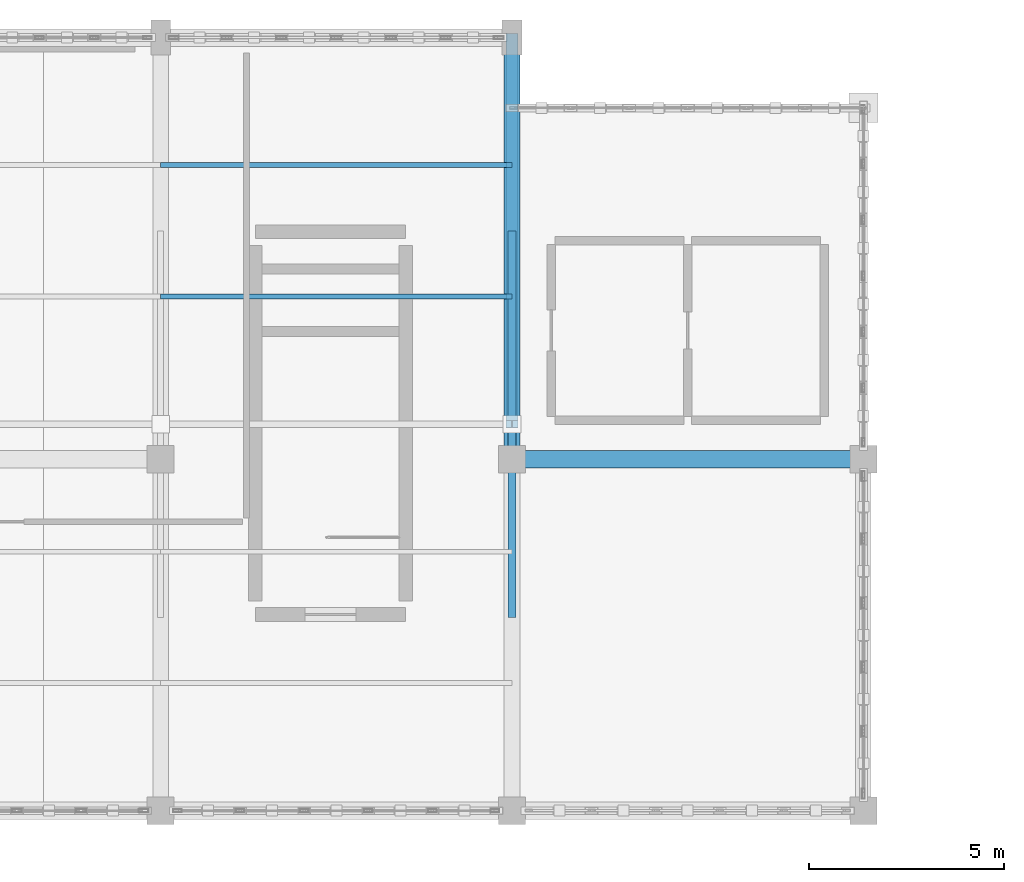
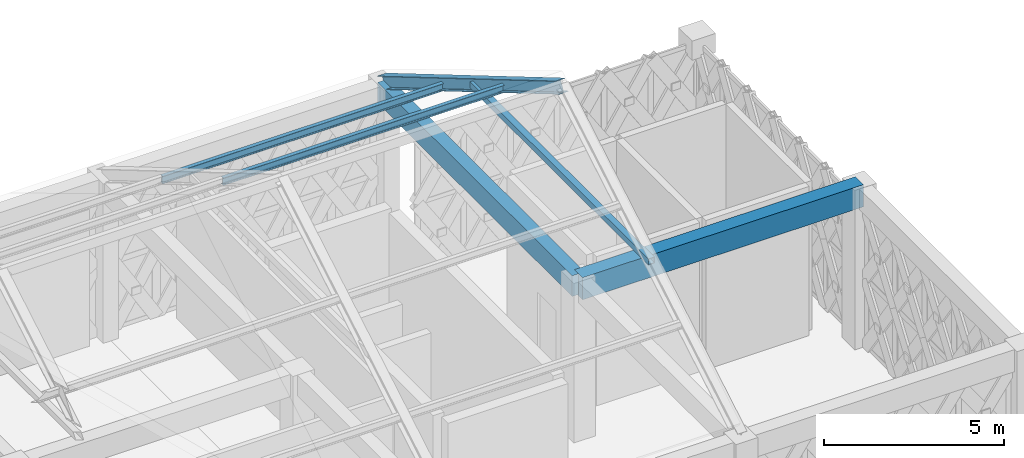
# One storey, part 48 of 72: 4 members, 2 beams.
"""IFC4 building model written with IfcOpenShell, lengths in metres."""

from ifc_helpers import new_model, si_unit, direction, frame, origin, origin_2d, place, context, subcontext, project, spatial, rectangle, hollow_rectangle, i_section, extrude, material, material_profile, profile_set, type_object, element, save


model = new_model("IFC4")

# Units and contexts
model_context = context("Model", 3, precision=1e-05, world=origin(), true_north=direction((0.0, 1.0)))
body_context = subcontext(model_context, "Body", "Model", "MODEL_VIEW")
ifc_project = project(units=[si_unit("LENGTHUNIT", "METRE"), si_unit("AREAUNIT", "SQUARE_METRE"), si_unit("VOLUMEUNIT", "CUBIC_METRE"), si_unit("PLANEANGLEUNIT", "RADIAN"), si_unit("MASSUNIT", "GRAM", prefix="KILO")], contexts=[model_context])

# Site, building, storey
site_placement = place(None, origin())
site = spatial("IfcSite", under=ifc_project, at=site_placement, CompositionType="ELEMENT")
building_placement = place(site_placement, origin())
building = spatial("IfcBuilding", under=site, at=building_placement, Name="Haizhuo Lancet Aquarium", CompositionType="ELEMENT")
storey_placement = place(building_placement, frame((0.0, 0.0, 21.60009765625)))
storey = spatial("IfcBuildingStorey", under=building, at=storey_placement, Name="L04", CompositionType="ELEMENT", Elevation=21.60009765625)

# Beams
ifc_material_1 = material(Name="Concrete C40/50", Category="concrete")
ifc_material_profile_1 = material_profile(ifc_material_1, rectangle(XDim=0.39990234375, YDim=0.699951171875, at=origin_2d()), Name="RC-BM 400x700")
ifc_profile_set_1 = profile_set([ifc_material_profile_1], Name="Concrete C40/50")
beam_type_1 = type_object("IfcBeamType", Name="BM-RC-400x700", PredefinedType="BEAM", material=ifc_profile_set_1)
beam_1_placement = place(storey_placement, frame((18.0, 45.0, 5.0498046875), z_axis=(0.0, 1.0, 0.0), x_axis=(-1.0, 0.0, 0.0)))
element("IfcBeam", 1, at=beam_1_placement, inside=storey, type_object=beam_type_1, Name="L04 V5 primary girder BM-L04-V5-023", PredefinedType="BEAM", context=body_context, shape_type="SweptSolid", body=[
    extrude(rectangle(XDim=0.39990234375, YDim=0.699951171875, at=origin_2d()), origin(), (0.0, 0.0, 1.0), 10.800048828125),
])
ifc_material_profile_2 = material_profile(ifc_material_1, rectangle(XDim=0.449951171875, YDim=0.75, at=origin_2d()), Name="RC-BM 450x750")
ifc_profile_set_2 = profile_set([ifc_material_profile_2], Name="Concrete C40/50")
beam_type_2 = type_object("IfcBeamType", Name="BM-RC-450x750", PredefinedType="BEAM", material=ifc_profile_set_2)
beam_2_placement = place(storey_placement, frame((18.0, 45.0, 5.02490234375), z_axis=(1.0, 0.0, 0.0), x_axis=(0.0, 1.0, 0.0)))
element("IfcBeam", 2, at=beam_2_placement, inside=storey, type_object=beam_type_2, Name="L04 V5 primary girder BM-L04-V5-024", PredefinedType="BEAM", context=body_context, shape_type="SweptSolid", body=[
    extrude(rectangle(XDim=0.449951171875, YDim=0.75, at=origin_2d()), origin(), (0.0, 0.0, 1.0), 9.0),
])

# Members
ifc_material_2 = material(Name="Steel S355", Category="steel")
ifc_material_profile_3 = material_profile(ifc_material_2, hollow_rectangle(XDim=0.199951171875, YDim=0.199951171875, WallThickness=0.010009765625, at=origin_2d()), Name="SHS 200x200x10")
ifc_profile_set_3 = profile_set([ifc_material_profile_3], Name="Steel S355")
member_type_1 = type_object("IfcMemberType", Name="MEM-CL-SHS200", PredefinedType="COLLAR", material=ifc_profile_set_3)
member_1_placement = place(storey_placement, frame((18.0, 40.949951171875, 8.287841796875), z_axis=(0.0, 1.0, 0.0), x_axis=(-1.0, 0.0, 0.0)))
element("IfcMember", 3, at=member_1_placement, inside=storey, type_object=member_type_1, Name="V5 Gothic roof collar tie 5", PredefinedType="COLLAR", context=body_context, shape_type="SweptSolid", body=[
    extrude(hollow_rectangle(XDim=0.199951171875, YDim=0.199951171875, WallThickness=0.010009765625, at=origin_2d()), origin(), (0.0, 0.0, 1.0), 9.900146484375),
])
ifc_material_profile_4 = material_profile(ifc_material_2, i_section(OverallWidth=0.125, OverallDepth=0.25, WebThickness=0.006103515625, FlangeThickness=0.009033203125, FilletRadius=0.010009765625, at=origin_2d()), Name="HN 250x125x6x9")
ifc_profile_set_4 = profile_set([ifc_material_profile_4], Name="Steel S355")
member_type_2 = type_object("IfcMemberType", Name="MEM-PR-HN250", PredefinedType="PURLIN", material=ifc_profile_set_4)
for number, where, z_axis, x_axis, name in (
    (4, (9.0, 52.532958984375, 7.185791015625), (1.0, 0.0, 0.0), (0.0, 1.0, 0.0), "V5 north roof purlin 4"),
    (5, (9.0, 49.1669921875, 9.169921875), (1.0, 0.0, 0.0), (0.0, 1.0, 0.0), "V5 north roof purlin 4"),
):
    element("IfcMember", number, at=place(storey_placement, frame(where, z_axis=z_axis, x_axis=x_axis)), inside=storey, type_object=member_type_2, Name=name, PredefinedType="PURLIN", context=body_context, shape_type="SweptSolid", body=[
        extrude(i_section(OverallWidth=0.125, OverallDepth=0.25, WebThickness=0.006103515625, FlangeThickness=0.009033203125, FilletRadius=0.010009765625, at=origin_2d()), origin(), (0.0, 0.0, 1.0), 9.0),
    ])
ifc_material_profile_5 = material_profile(ifc_material_2, i_section(OverallWidth=0.300048828125, OverallDepth=0.389892578125, WebThickness=0.010009765625, FlangeThickness=0.01611328125, FilletRadius=0.02001953125, at=origin_2d()), Name="HM 390x300x10x16")
ifc_profile_set_5 = profile_set([ifc_material_profile_5], Name="Steel S355")
member_type_3 = type_object("IfcMemberType", Name="MEM-RF-HM390", PredefinedType="RAFTER", material=ifc_profile_set_5)
member_2_placement = place(storey_placement, frame((18.0, 55.800048828125, 5.369873046875), z_axis=(0.0, -0.861465277709, 0.507816477975), x_axis=(1.0, 0.0, 0.0)))
element("IfcMember", 6, at=member_2_placement, inside=storey, type_object=member_type_3, Name="V5 Gothic pitched roof north rafter 5", PredefinedType="RAFTER", context=body_context, shape_type="SweptSolid", body=[
    extrude(i_section(OverallWidth=0.300048828125, OverallDepth=0.389892578125, WebThickness=0.010009765625, FlangeThickness=0.01611328125, FilletRadius=0.02001953125, at=origin_2d()), origin(), (0.0, 0.0, 1.0), 11.4921875),
])

save(model, "model.ifc")
